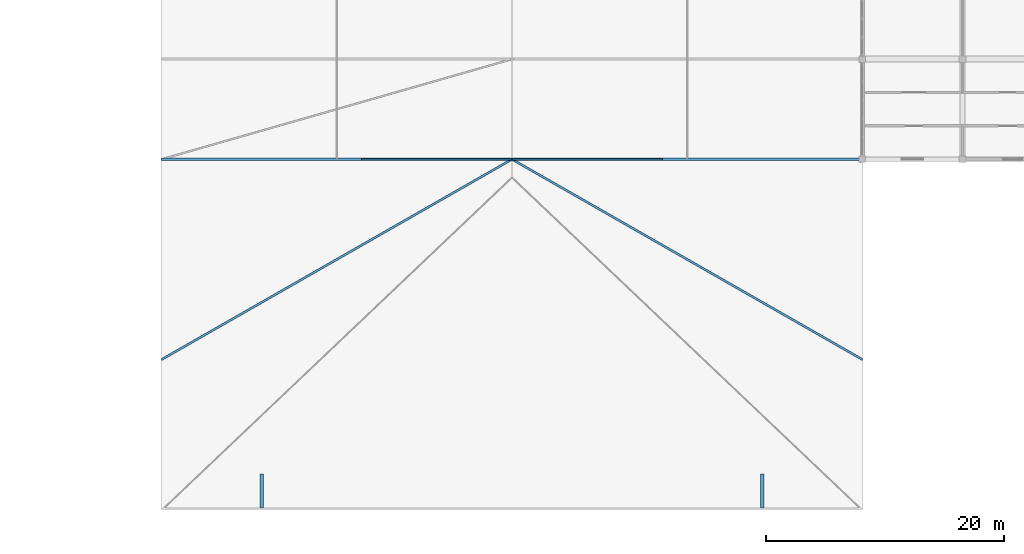
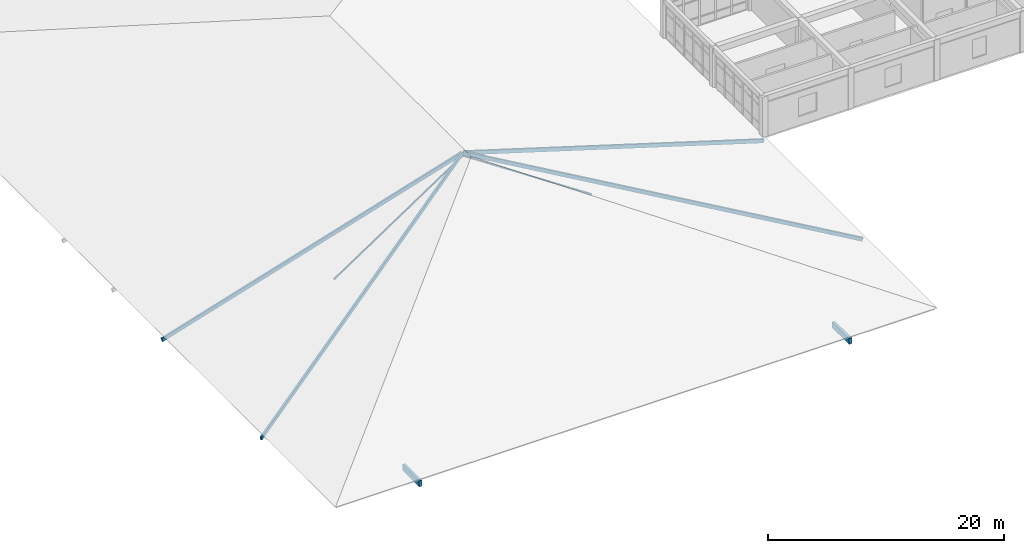
# One storey, part 7 of 77: 6 members, 2 beams.
"""IFC4 building model written with IfcOpenShell, lengths in metres."""

from ifc_helpers import new_model, si_unit, direction, frame, origin, origin_2d, place, context, subcontext, project, spatial, rectangle, hollow_rectangle, extrude, material, material_profile, profile_set, type_object, element, save


model = new_model("IFC4")

# Units and contexts
model_context = context("Model", 3, precision=1e-05, world=origin(), true_north=direction((0.0, 1.0)))
body_context = subcontext(model_context, "Body", "Model", "MODEL_VIEW")
ifc_project = project(units=[si_unit("LENGTHUNIT", "METRE"), si_unit("AREAUNIT", "SQUARE_METRE"), si_unit("VOLUMEUNIT", "CUBIC_METRE"), si_unit("PLANEANGLEUNIT", "RADIAN"), si_unit("MASSUNIT", "GRAM", prefix="KILO")], contexts=[model_context])

# Site, building, storey
site_placement = place(None, origin())
site = spatial("IfcSite", under=ifc_project, at=site_placement, CompositionType="ELEMENT")
building_placement = place(site_placement, origin())
building = spatial("IfcBuilding", under=site, at=building_placement, Name="Varncliffe General Hospital", CompositionType="ELEMENT")
storey_placement = place(building_placement, frame((0.0, 0.0, 16.199951171875)))
storey = spatial("IfcBuildingStorey", under=building, at=storey_placement, Name="L03", CompositionType="ELEMENT", Elevation=16.199951171875)

# Beams
ifc_material_1 = material(Name="Glulam GL28h (CSA O86 24f-EX, 30 MPa)", Category="wood")
ifc_material_profile_1 = material_profile(ifc_material_1, rectangle(XDim=0.264892578125, YDim=0.60791015625, at=origin_2d()), Name="GL 265x608")
ifc_profile_set_1 = profile_set([ifc_material_profile_1], Name="Glulam GL28h (CSA O86 24f-EX, 30 MPa)")
beam_type = type_object("IfcBeamType", Name="Beam B82 (Ext GL 265x608)", PredefinedType="BEAM", material=ifc_profile_set_1)
for number, where, z_axis, x_axis, name in (
    (1, (67.199951171875, -5.260009765625, -0.534912109375), (0.0, 1.0, 0.0), (-1.0, 0.0, 0.0), "L03 RF-V1-MAIN South Eave Lookout Bracket 1"),
    (2, (109.199951171875, -5.260009765625, -0.534912109375), (0.0, 1.0, 0.0), (-1.0, 0.0, 0.0), "L03 RF-V1-MAIN South Eave Lookout Bracket 2"),
):
    element("IfcBeam", number, at=place(storey_placement, frame(where, z_axis=z_axis, x_axis=x_axis)), inside=storey, type_object=beam_type, Name=name, PredefinedType="BEAM", context=body_context, shape_type="SweptSolid", body=[
        extrude(rectangle(XDim=0.264892578125, YDim=0.60791015625, at=origin_2d()), origin(), (0.0, 0.0, 1.0), 2.860107421875),
    ])

# Members
ifc_material_2 = material(Name="Steel S355 (CSA G40.21 350W)", Category="steel")
ifc_material_profile_2 = material_profile(ifc_material_2, hollow_rectangle(XDim=0.126953125, YDim=0.126953125, WallThickness=0.00634765625, InnerFilletRadius=0.006103515625, OuterFilletRadius=0.012939453125, at=origin_2d()), Name="HSS 127x127x6.4")
ifc_profile_set_2 = profile_set([ifc_material_profile_2], Name="Steel S355 (CSA G40.21 350W)")
member_type_1 = type_object("IfcMemberType", Name="Member MB49 (BRACE Int HSS 127x127x6.4)", PredefinedType="BRACE", material=ifc_profile_set_2)
member_1_placement = place(storey_placement, frame((75.60009765625, 24.0, -0.14990234375), z_axis=(0.832377682662, 0.0, 0.554208799466), x_axis=(0.0, 1.0, 0.0)))
element("IfcMember", 3, at=member_1_placement, inside=storey, type_object=member_type_1, Name="L03 RF-V1-MAIN Interior Glulam Column A-Frame Strut 1", PredefinedType="BRACE", context=body_context, shape_type="SweptSolid", body=[
    extrude(hollow_rectangle(XDim=0.126953125, YDim=0.126953125, WallThickness=0.00634765625, InnerFilletRadius=0.006103515625, OuterFilletRadius=0.012939453125, at=origin_2d()), origin(), (0.0, 0.0, 1.0), 15.13720703125),
])
member_2_placement = place(storey_placement, frame((100.800048828125, 24.0, -0.14990234375), z_axis=(-0.832382636401, 0.0, 0.554201359272), x_axis=(0.0, -1.0, 0.0)))
element("IfcMember", 4, at=member_2_placement, inside=storey, type_object=member_type_1, Name="L03 RF-V1-MAIN Interior Glulam Column A-Frame Strut 2", PredefinedType="BRACE", context=body_context, shape_type="SweptSolid", body=[
    extrude(hollow_rectangle(XDim=0.126953125, YDim=0.126953125, WallThickness=0.00634765625, InnerFilletRadius=0.006103515625, OuterFilletRadius=0.012939453125, at=origin_2d()), origin(), (0.0, 0.0, 1.0), 15.137451171875),
])
ifc_material_profile_3 = material_profile(ifc_material_1, rectangle(XDim=0.175048828125, YDim=0.3798828125, at=origin_2d()), Name="GL 175x380")
ifc_profile_set_3 = profile_set([ifc_material_profile_3], Name="Glulam GL28h (CSA O86 24f-EX, 30 MPa)")
member_type_2 = type_object("IfcMemberType", Name="Member MB55 (RAFTER Int GL 175x380)", PredefinedType="RAFTER", material=ifc_profile_set_3)
member_3_placement = place(storey_placement, frame((58.800048828125, 7.199951171875, -0.498779296875), z_axis=(0.838843426954, 0.479340097713, 0.25802088245), x_axis=(-0.496139715968, 0.868242697775, 0.0)))
element("IfcMember", 5, at=member_3_placement, inside=storey, type_object=member_type_2, Name="L03 RF-V1-MAIN Hip Rafter SW", PredefinedType="RAFTER", context=body_context, shape_type="SweptSolid", body=[
    extrude(rectangle(XDim=0.175048828125, YDim=0.3798828125, at=origin_2d()), origin(), (0.0, 0.0, 1.0), 34.996337890625),
])
member_4_placement = place(storey_placement, frame((117.60009765625, 7.199951171875, -0.498779296875), z_axis=(-0.838845494268, 0.479337292666, 0.258019372539), x_axis=(-0.496136605537, -0.86824447516, 0.0)))
element("IfcMember", 6, at=member_4_placement, inside=storey, type_object=member_type_2, Name="L03 RF-V1-MAIN Hip Rafter SE", PredefinedType="RAFTER", context=body_context, shape_type="SweptSolid", body=[
    extrude(rectangle(XDim=0.175048828125, YDim=0.3798828125, at=origin_2d()), origin(), (0.0, 0.0, 1.0), 34.99658203125),
])
member_5_placement = place(storey_placement, frame((58.800048828125, 24.0, -0.500732421875), z_axis=(0.955808581962, 0.0, 0.29398971861), x_axis=(0.0, 1.0, 0.0)))
element("IfcMember", 7, at=member_5_placement, inside=storey, type_object=member_type_2, Name="L03 RF-V1-MAIN West Sloped Glulam Rafter 1", PredefinedType="RAFTER", context=body_context, shape_type="SweptSolid", body=[
    extrude(rectangle(XDim=0.175048828125, YDim=0.3798828125, at=origin_2d()), origin(), (0.0, 0.0, 1.0), 30.6962890625),
])
member_6_placement = place(storey_placement, frame((117.60009765625, 24.0, -0.500732421875), z_axis=(-0.955809269367, 0.0, 0.293987483735), x_axis=(0.0, -1.0, 0.0)))
element("IfcMember", 8, at=member_6_placement, inside=storey, type_object=member_type_2, Name="L03 RF-V1-MAIN East Sloped Glulam Rafter 1", PredefinedType="RAFTER", context=body_context, shape_type="SweptSolid", body=[
    extrude(rectangle(XDim=0.175048828125, YDim=0.3798828125, at=origin_2d()), origin(), (0.0, 0.0, 1.0), 30.696533203125),
])

save(model, "model.ifc")
